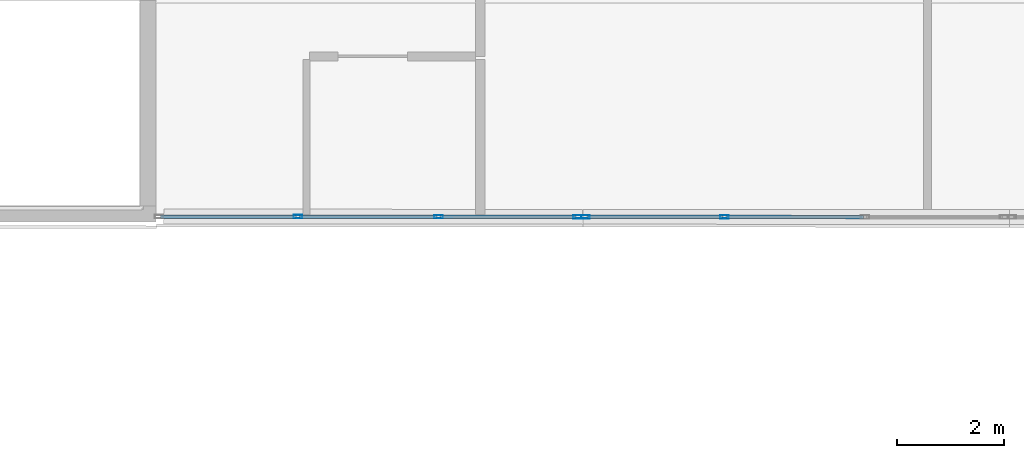
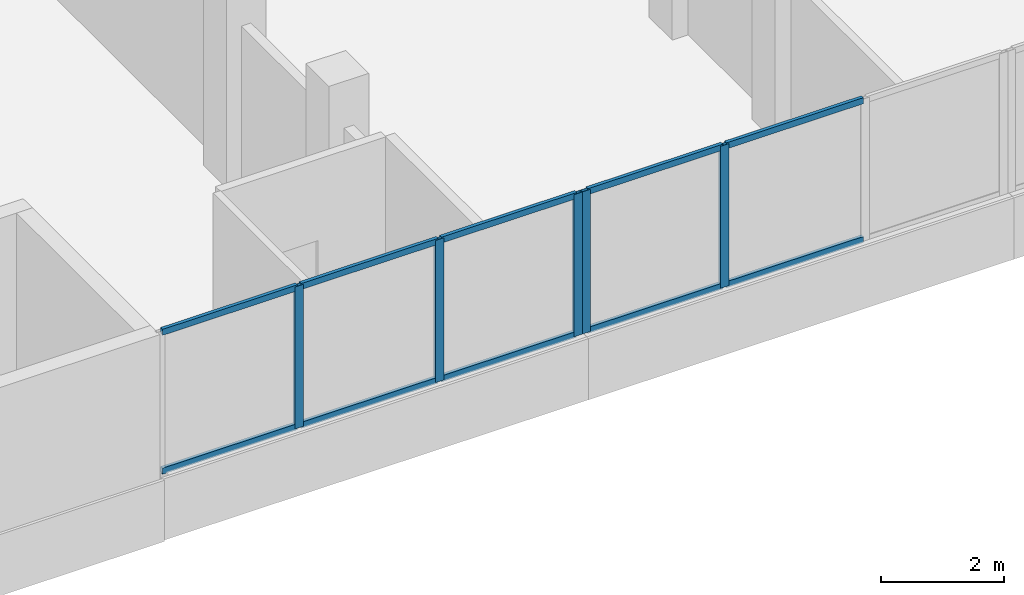
# One storey, part 23 of 101: 15 members, 2 elements without a shape of their own.
"""IFC4 building model written with IfcOpenShell, lengths in metres."""

from ifc_helpers import new_model, si_unit, direction, frame, origin, origin_2d, place, context, subcontext, project, spatial, hollow_rectangle, extrude, material, material_profile, profile_set, type_object, element, aggregate, save


model = new_model("IFC4")

# Units and contexts
model_context = context("Model", 3, precision=1e-05, world=origin(), true_north=direction((0.0, 1.0)))
body_context = subcontext(model_context, "Body", "Model", "MODEL_VIEW")
ifc_project = project(units=[si_unit("LENGTHUNIT", "METRE"), si_unit("AREAUNIT", "SQUARE_METRE"), si_unit("VOLUMEUNIT", "CUBIC_METRE"), si_unit("PLANEANGLEUNIT", "RADIAN"), si_unit("MASSUNIT", "GRAM", prefix="KILO")], contexts=[model_context])

# Site, building, storey
site_placement = place(None, origin())
site = spatial("IfcSite", under=ifc_project, at=site_placement, CompositionType="ELEMENT")
building_placement = place(site_placement, origin())
building = spatial("IfcBuilding", under=site, at=building_placement, Name="Selatvlak General Hospital", CompositionType="ELEMENT")
storey_placement = place(building_placement, frame((0.0, 0.0, 19.199951171875)))
storey = spatial("IfcBuildingStorey", under=building, at=storey_placement, Name="L04", CompositionType="ELEMENT", Elevation=19.199951171875)

# Curtain wall, members
ifc_material_1 = material(Name="Solar-control Low-E double glazing", Category="glass")
curtain_wall_type_1 = type_object("IfcCurtainWallType", Name="CW-CW-02", PredefinedType="USERDEFINED", material=ifc_material_1)
curtain_wall_1_placement = place(storey_placement, origin())
curtain_wall_1 = element("IfcCurtainWall", 1, at=curtain_wall_1_placement, inside=storey, type_object=curtain_wall_type_1, Name="Glazed facade curtain wall CW-L04-0515", ObjectType="UNITISED CURTAIN WALL", PredefinedType="USERDEFINED")
ifc_material_2 = material(Name="Dark anodised aluminium mullion", Category="aluminium")
ifc_material_profile_1 = material_profile(ifc_material_2, hollow_rectangle(XDim=0.06494140625, YDim=0.159912109375, WallThickness=0.00390625, at=origin_2d()), Name="AL-MUL 65x160x4")
ifc_profile_set_1 = profile_set([ifc_material_profile_1], Name="Dark anodised aluminium mullion")
member_type_1 = type_object("IfcMemberType", Name="CWM-01", PredefinedType="MULLION", material=ifc_profile_set_1)
member_1_placement = place(storey_placement, frame((44.185546875, 83.986083984375, 0.93994140625), z_axis=(0.0, 0.0, 1.0), x_axis=(-0.000756811082, -0.999999713618, 0.0)))
member_1 = element("IfcMember", 2, at=member_1_placement, type_object=member_type_1, Name="CW-02 mullion 3", PredefinedType="MULLION", context=body_context, shape_type="SweptSolid", body=[
    extrude(hollow_rectangle(XDim=0.06494140625, YDim=0.159912109375, WallThickness=0.00390625, at=origin_2d()), origin(), (0.0, 0.0, 1.0), 2.830078125),
])
member_2_placement = place(storey_placement, frame((41.575439453125, 83.988037109375, 0.93994140625), z_axis=(0.0, 0.0, 1.0), x_axis=(-0.000756811082, -0.999999713618, 0.0)))
member_2 = element("IfcMember", 3, at=member_2_placement, type_object=member_type_1, Name="CW-02 mullion 4", PredefinedType="MULLION", context=body_context, shape_type="SweptSolid", body=[
    extrude(hollow_rectangle(XDim=0.06494140625, YDim=0.159912109375, WallThickness=0.00390625, at=origin_2d()), origin(), (0.0, 0.0, 1.0), 2.830078125),
])

curtain_wall_type_2 = type_object("IfcCurtainWallType", Name="CW-CW-01", PredefinedType="USERDEFINED", material=ifc_material_1)
curtain_wall_2_placement = place(storey_placement, origin())
curtain_wall_2 = element("IfcCurtainWall", 4, at=curtain_wall_2_placement, inside=storey, type_object=curtain_wall_type_2, Name="Glazed facade curtain wall CW-L04-0516", ObjectType="UNITISED CURTAIN WALL", PredefinedType="USERDEFINED")
member_3_placement = place(storey_placement, frame((41.430419921875, 83.988037109375, 0.93994140625), z_axis=(0.0, 0.0, 1.0), x_axis=(-0.000630675957, -0.999999801124, 0.0)))
member_3 = element("IfcMember", 5, at=member_3_placement, type_object=member_type_1, Name="CW-01 mullion 1", PredefinedType="MULLION", context=body_context, shape_type="SweptSolid", body=[
    extrude(hollow_rectangle(XDim=0.06494140625, YDim=0.159912109375, WallThickness=0.00390625, at=origin_2d()), origin(), (0.0, 0.0, 1.0), 2.830078125),
])
member_4_placement = place(storey_placement, frame((38.8203125, 83.98974609375, 0.93994140625), z_axis=(0.0, 0.0, 1.0), x_axis=(-0.000630675957, -0.999999801124, 0.0)))
member_4 = element("IfcMember", 6, at=member_4_placement, type_object=member_type_1, Name="CW-01 mullion 2", PredefinedType="MULLION", context=body_context, shape_type="SweptSolid", body=[
    extrude(hollow_rectangle(XDim=0.06494140625, YDim=0.159912109375, WallThickness=0.00390625, at=origin_2d()), origin(), (0.0, 0.0, 1.0), 2.830078125),
])
member_5_placement = place(storey_placement, frame((36.177734375, 83.991455078125, 0.93994140625), z_axis=(0.0, 0.0, 1.0), x_axis=(-0.000630675957, -0.999999801124, 0.0)))
member_5 = element("IfcMember", 7, at=member_5_placement, type_object=member_type_1, Name="CW-01 mullion 3", PredefinedType="MULLION", context=body_context, shape_type="SweptSolid", body=[
    extrude(hollow_rectangle(XDim=0.06494140625, YDim=0.159912109375, WallThickness=0.00390625, at=origin_2d()), origin(), (0.0, 0.0, 1.0), 2.830078125),
])

# Member
ifc_material_profile_2 = material_profile(ifc_material_2, hollow_rectangle(XDim=0.06494140625, YDim=0.1201171875, WallThickness=0.00390625, at=origin_2d()), Name="AL-TRN 65x120x4")
ifc_profile_set_2 = profile_set([ifc_material_profile_2], Name="Dark anodised aluminium mullion")
member_type_2 = type_object("IfcMemberType", Name="CWT-01", PredefinedType="USERDEFINED", material=ifc_profile_set_2)
member_6_placement = place(storey_placement, frame((46.7958984375, 83.984130859375, 0.97265625), z_axis=(-0.999999712931, 0.000757719047, 0.0), x_axis=(-0.000757719047, -0.999999712931, 0.0)))
member_6 = element("IfcMember", 8, at=member_6_placement, type_object=member_type_2, Name="CW-02 transom 2.1", ObjectType="TRANSOM", PredefinedType="USERDEFINED", context=body_context, shape_type="SweptSolid", body=[
    extrude(hollow_rectangle(XDim=0.06494140625, YDim=0.1201171875, WallThickness=0.00390625, at=origin_2d()), origin(), (0.0, 0.0, 1.0), 2.57763671875),
])

member_7_placement = place(storey_placement, frame((46.7958984375, 83.984130859375, 3.737548828125), z_axis=(-0.999999712931, 0.000757719047, 0.0), x_axis=(-0.000757719047, -0.999999712931, 0.0)))
member_7 = element("IfcMember", 9, at=member_7_placement, type_object=member_type_2, Name="CW-02 transom 2.2", ObjectType="TRANSOM", PredefinedType="USERDEFINED", context=body_context, shape_type="SweptSolid", body=[
    extrude(hollow_rectangle(XDim=0.06494140625, YDim=0.1201171875, WallThickness=0.00390625, at=origin_2d()), origin(), (0.0, 0.0, 1.0), 2.57763671875),
])

member_8_placement = place(storey_placement, frame((44.153076171875, 83.986083984375, 0.97265625), z_axis=(-0.999999705559, 0.000767385865, 0.0), x_axis=(-0.000767385865, -0.999999705559, 0.0)))
member_8 = element("IfcMember", 10, at=member_8_placement, type_object=member_type_2, Name="CW-02 transom 3.1", ObjectType="TRANSOM", PredefinedType="USERDEFINED", context=body_context, shape_type="SweptSolid", body=[
    extrude(hollow_rectangle(XDim=0.06494140625, YDim=0.1201171875, WallThickness=0.00390625, at=origin_2d()), origin(), (0.0, 0.0, 1.0), 2.545166015625),
])

member_9_placement = place(storey_placement, frame((44.153076171875, 83.986083984375, 3.737548828125), z_axis=(-0.999999705559, 0.000767385865, 0.0), x_axis=(-0.000767385865, -0.999999705559, 0.0)))
member_9 = element("IfcMember", 11, at=member_9_placement, type_object=member_type_2, Name="CW-02 transom 3.2", ObjectType="TRANSOM", PredefinedType="USERDEFINED", context=body_context, shape_type="SweptSolid", body=[
    extrude(hollow_rectangle(XDim=0.06494140625, YDim=0.1201171875, WallThickness=0.00390625, at=origin_2d()), origin(), (0.0, 0.0, 1.0), 2.545166015625),
])

aggregate(curtain_wall_1, [member_1, member_2, member_6, member_7, member_8, member_9])

member_10_placement = place(storey_placement, frame((41.39794921875, 83.988037109375, 0.97265625), z_axis=(-0.999999774569, 0.000671462678, 0.0), x_axis=(-0.000671462678, -0.999999774569, 0.0)))
member_10 = element("IfcMember", 12, at=member_10_placement, type_object=member_type_2, Name="CW-01 transom 1.1", ObjectType="TRANSOM", PredefinedType="USERDEFINED", context=body_context, shape_type="SweptSolid", body=[
    extrude(hollow_rectangle(XDim=0.06494140625, YDim=0.1201171875, WallThickness=0.00390625, at=origin_2d()), origin(), (0.0, 0.0, 1.0), 2.545166015625),
])

member_11_placement = place(storey_placement, frame((41.39794921875, 83.988037109375, 3.737548828125), z_axis=(-0.999999774569, 0.000671462678, 0.0), x_axis=(-0.000671462678, -0.999999774569, 0.0)))
member_11 = element("IfcMember", 13, at=member_11_placement, type_object=member_type_2, Name="CW-01 transom 1.2", ObjectType="TRANSOM", PredefinedType="USERDEFINED", context=body_context, shape_type="SweptSolid", body=[
    extrude(hollow_rectangle(XDim=0.06494140625, YDim=0.1201171875, WallThickness=0.00390625, at=origin_2d()), origin(), (0.0, 0.0, 1.0), 2.545166015625),
])

member_12_placement = place(storey_placement, frame((38.787841796875, 83.98974609375, 0.97265625), z_axis=(-0.999999838524, 0.000568289357, 0.0), x_axis=(-0.000568289357, -0.999999838524, 0.0)))
member_12 = element("IfcMember", 14, at=member_12_placement, type_object=member_type_2, Name="CW-01 transom 2.1", ObjectType="TRANSOM", PredefinedType="USERDEFINED", context=body_context, shape_type="SweptSolid", body=[
    extrude(hollow_rectangle(XDim=0.06494140625, YDim=0.1201171875, WallThickness=0.00390625, at=origin_2d()), origin(), (0.0, 0.0, 1.0), 2.57763671875),
])

member_13_placement = place(storey_placement, frame((38.787841796875, 83.98974609375, 3.737548828125), z_axis=(-0.999999838524, 0.000568289357, 0.0), x_axis=(-0.000568289357, -0.999999838524, 0.0)))
member_13 = element("IfcMember", 15, at=member_13_placement, type_object=member_type_2, Name="CW-01 transom 2.2", ObjectType="TRANSOM", PredefinedType="USERDEFINED", context=body_context, shape_type="SweptSolid", body=[
    extrude(hollow_rectangle(XDim=0.06494140625, YDim=0.1201171875, WallThickness=0.00390625, at=origin_2d()), origin(), (0.0, 0.0, 1.0), 2.57763671875),
])

member_14_placement = place(storey_placement, frame((36.145263671875, 83.991455078125, 0.97265625), z_axis=(-0.999999834377, 0.000575539473, 0.0), x_axis=(-0.000575539473, -0.999999834377, 0.0)))
member_14 = element("IfcMember", 16, at=member_14_placement, type_object=member_type_2, Name="CW-01 transom 3.1", ObjectType="TRANSOM", PredefinedType="USERDEFINED", context=body_context, shape_type="SweptSolid", body=[
    extrude(hollow_rectangle(XDim=0.06494140625, YDim=0.1201171875, WallThickness=0.00390625, at=origin_2d()), origin(), (0.0, 0.0, 1.0), 2.545166015625),
])

member_15_placement = place(storey_placement, frame((36.145263671875, 83.991455078125, 3.737548828125), z_axis=(-0.999999834377, 0.000575539473, 0.0), x_axis=(-0.000575539473, -0.999999834377, 0.0)))
member_15 = element("IfcMember", 17, at=member_15_placement, type_object=member_type_2, Name="CW-01 transom 3.2", ObjectType="TRANSOM", PredefinedType="USERDEFINED", context=body_context, shape_type="SweptSolid", body=[
    extrude(hollow_rectangle(XDim=0.06494140625, YDim=0.1201171875, WallThickness=0.00390625, at=origin_2d()), origin(), (0.0, 0.0, 1.0), 2.545166015625),
])

aggregate(curtain_wall_2, [member_3, member_4, member_5, member_10, member_11, member_12, member_13, member_14, member_15])

save(model, "model.ifc")
